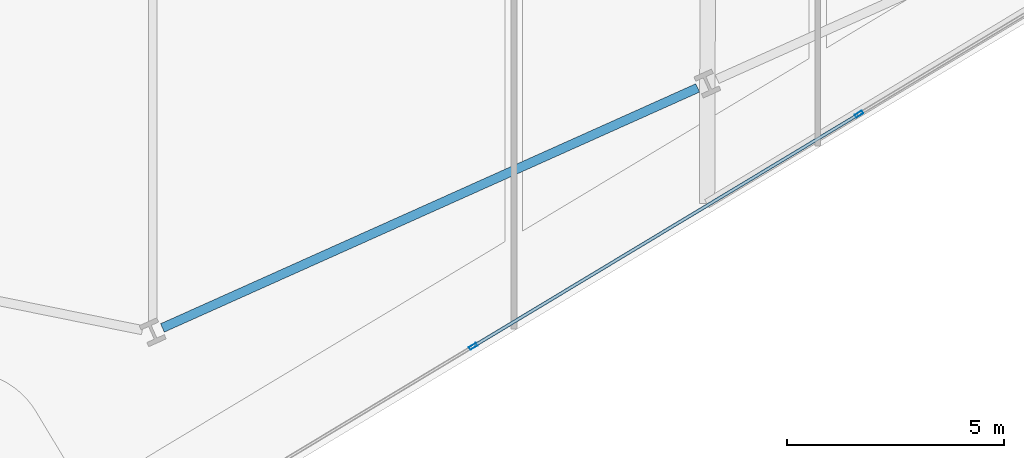
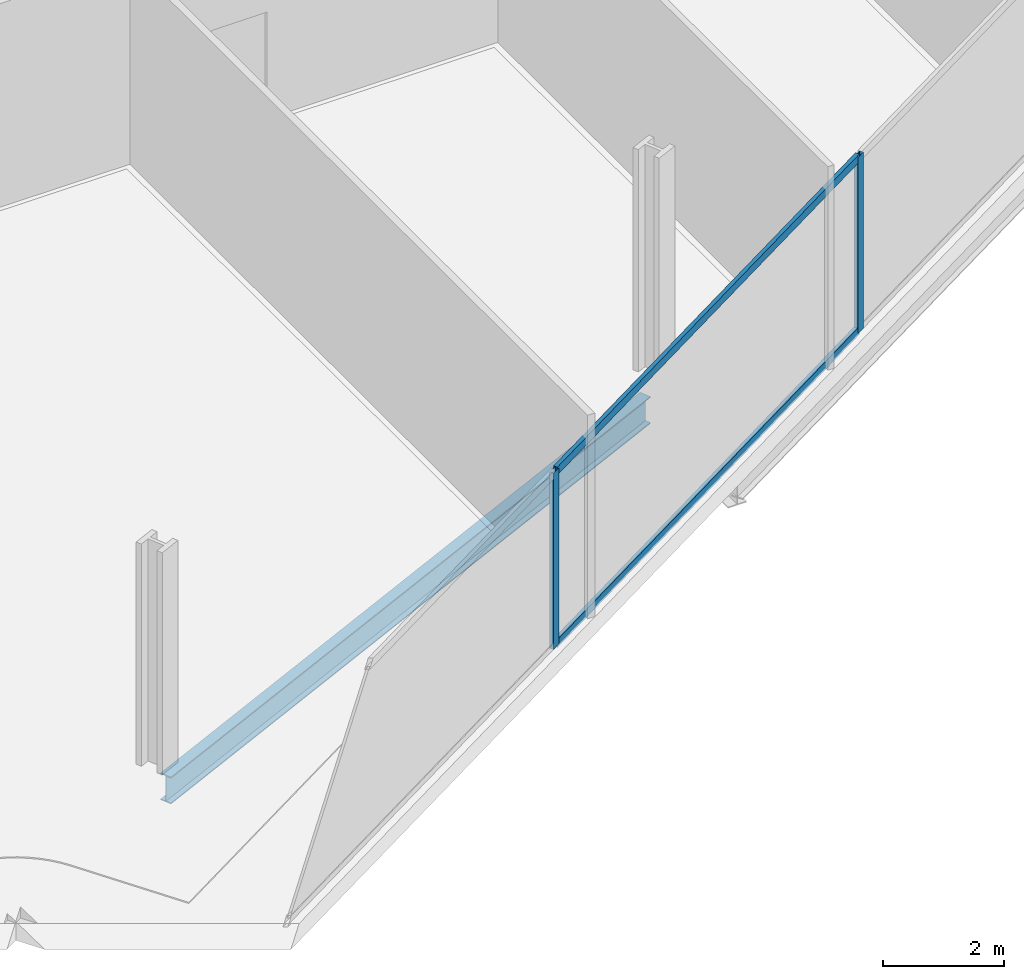
# One storey, part 6 of 30: 4 members, 1 beam, 1 element without a shape of its own.
"""IFC4 building model written with IfcOpenShell, lengths in metres."""

from ifc_helpers import new_model, si_unit, direction, frame, origin, origin_2d, place, context, subcontext, project, spatial, hollow_rectangle, i_section, extrude, material, material_profile, profile_set, type_object, element, aggregate, save


model = new_model("IFC4")

# Units and contexts
model_context = context("Model", 3, precision=1e-05, world=origin(), true_north=direction((0.0, 1.0)))
body_context = subcontext(model_context, "Body", "Model", "MODEL_VIEW")
ifc_project = project(units=[si_unit("LENGTHUNIT", "METRE"), si_unit("AREAUNIT", "SQUARE_METRE"), si_unit("VOLUMEUNIT", "CUBIC_METRE"), si_unit("PLANEANGLEUNIT", "RADIAN"), si_unit("MASSUNIT", "GRAM", prefix="KILO")], contexts=[model_context])

# Site, building, storey
site_placement = place(None, origin())
site = spatial("IfcSite", under=ifc_project, at=site_placement, CompositionType="ELEMENT")
building_placement = place(site_placement, origin())
building = spatial("IfcBuilding", under=site, at=building_placement, Name="Haldenkirk Collegiate Tower", CompositionType="ELEMENT")
storey_placement = place(building_placement, frame((0.0, 0.0, 131.699951171875)))
storey = spatial("IfcBuildingStorey", under=building, at=storey_placement, Name="L32", CompositionType="ELEMENT", Elevation=131.699951171875)

# Beam
ifc_material_1 = material(Name="Steel ASTM A992 Grade 50", Category="steel")
ifc_material_profile_1 = material_profile(ifc_material_1, i_section(OverallWidth=0.2119140625, OverallDepth=0.5439453125, WebThickness=0.01318359375, FlangeThickness=0.021240234375, at=origin_2d()), Name="W21X83")
ifc_profile_set_1 = profile_set([ifc_material_profile_1], Name="Steel ASTM A992 Grade 50")
beam_type = type_object("IfcBeamType", Name="BM-SPANDREL-W21X83", PredefinedType="SPANDREL", material=ifc_profile_set_1)
beam_placement = place(storey_placement, frame((32.405517578125, 0.3876953125, -0.6220703125), z_axis=(0.912476765144, 0.409128528793, 0.0), x_axis=(-0.409128528793, 0.912476765144, 0.0)))
element("IfcBeam", 1, at=beam_placement, inside=storey, type_object=beam_type, Name="L32 perimeter spandrel beam 02", PredefinedType="SPANDREL", context=body_context, shape_type="SweptSolid", body=[
    extrude(i_section(OverallWidth=0.2119140625, OverallDepth=0.5439453125, WebThickness=0.01318359375, FlangeThickness=0.021240234375, at=origin_2d()), origin(), (0.0, 0.0, 1.0), 13.512939453125),
])

# Curtain wall, members
ifc_material_2 = material(Name="Anodised architectural bronze aluminium", Category="aluminium")
curtain_wall_type = type_object("IfcCurtainWallType", Name="CW-SYS2-CONCAVE", PredefinedType="USERDEFINED", material=ifc_material_2)
curtain_wall_placement = place(storey_placement, origin())
curtain_wall = element("IfcCurtainWall", 2, at=curtain_wall_placement, inside=storey, type_object=curtain_wall_type, Name="L32 South concave recessed bronze-anodised curtain wall", ObjectType="UNITISED CURTAIN WALL", PredefinedType="USERDEFINED")
ifc_material_profile_2 = material_profile(ifc_material_2, hollow_rectangle(XDim=0.074951171875, YDim=0.18994140625, WallThickness=0.0048828125, at=origin_2d()), Name="CW-MUL-02")
ifc_profile_set_2 = profile_set([ifc_material_profile_2], Name="Anodised architectural bronze aluminium")
member_type_1 = type_object("IfcMemberType", Name="CW-MUL-02", PredefinedType="MULLION", material=ifc_profile_set_2)
member_1_placement = place(storey_placement, frame((48.45361328125, 5.314453125, 0.0), z_axis=(0.0, 0.0, 1.0), x_axis=(0.515785392366, -0.856717823453, 0.0)))
member_1 = element("IfcMember", 3, at=member_1_placement, type_object=member_type_1, Name="CW-02 mullion 3", PredefinedType="MULLION", context=body_context, shape_type="SweptSolid", body=[
    extrude(hollow_rectangle(XDim=0.074951171875, YDim=0.18994140625, WallThickness=0.0048828125, at=origin_2d()), origin(), (0.0, 0.0, 1.0), 3.551025390625),
])
member_2_placement = place(storey_placement, frame((39.565185546875, -0.03662109375, 0.0), z_axis=(0.0, 0.0, 1.0), x_axis=(0.515785392366, -0.856717823453, 0.0)))
member_2 = element("IfcMember", 4, at=member_2_placement, type_object=member_type_1, Name="CW-02 mullion 4", PredefinedType="MULLION", context=body_context, shape_type="SweptSolid", body=[
    extrude(hollow_rectangle(XDim=0.074951171875, YDim=0.18994140625, WallThickness=0.0048828125, at=origin_2d()), origin(), (0.0, 0.0, 1.0), 3.551025390625),
])
ifc_material_profile_3 = material_profile(ifc_material_2, hollow_rectangle(XDim=0.074951171875, YDim=0.159912109375, WallThickness=0.0048828125, at=origin_2d()), Name="CW-TRN-02")
ifc_profile_set_3 = profile_set([ifc_material_profile_3], Name="Anodised architectural bronze aluminium")
member_type_2 = type_object("IfcMemberType", Name="CW-TRN-02", PredefinedType="USERDEFINED", material=ifc_profile_set_3)
member_3_placement = place(storey_placement, frame((48.421630859375, 5.295166015625, 0.03759765625), z_axis=(-0.85672231493, -0.515777931963, 0.0), x_axis=(0.515777931963, -0.85672231493, 0.0)))
member_3 = element("IfcMember", 5, at=member_3_placement, type_object=member_type_2, Name="CW-02 transom 3.1", ObjectType="TRANSOM", PredefinedType="USERDEFINED", context=body_context, shape_type="SweptSolid", body=[
    extrude(hollow_rectangle(XDim=0.074951171875, YDim=0.159912109375, WallThickness=0.0048828125, at=origin_2d()), origin(), (0.0, 0.0, 1.0), 10.300048828125),
])
member_4_placement = place(storey_placement, frame((48.421630859375, 5.295166015625, 3.513427734375), z_axis=(-0.85672231493, -0.515777931963, 0.0), x_axis=(0.515777931963, -0.85672231493, 0.0)))
member_4 = element("IfcMember", 6, at=member_4_placement, type_object=member_type_2, Name="CW-02 transom 3.2", ObjectType="TRANSOM", PredefinedType="USERDEFINED", context=body_context, shape_type="SweptSolid", body=[
    extrude(hollow_rectangle(XDim=0.074951171875, YDim=0.159912109375, WallThickness=0.0048828125, at=origin_2d()), origin(), (0.0, 0.0, 1.0), 10.300048828125),
])
aggregate(curtain_wall, [member_1, member_2, member_3, member_4])

save(model, "model.ifc")
